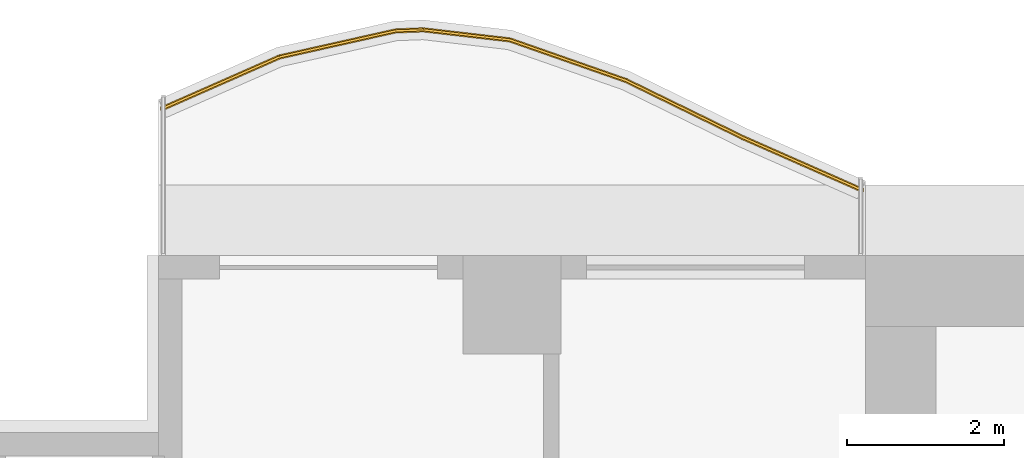
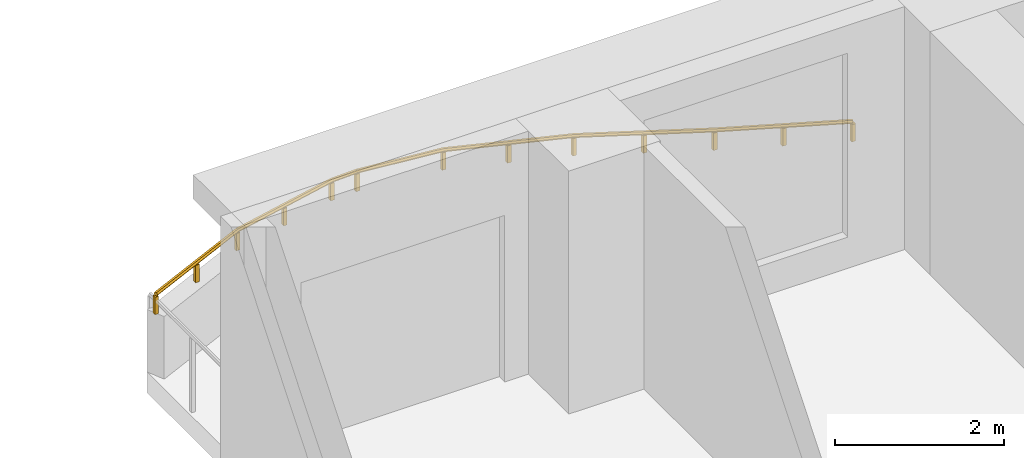
# One storey, part 13 of 14: 1 railing.
"""IFC4 building model written with IfcOpenShell, lengths in metres."""

from ifc_helpers import new_model, si_unit, direction, frame, origin, origin_2d, place, context, subcontext, project, spatial, polyline, rectangle, outline, extrude, material, type_object, element, save


model = new_model("IFC4")

# Units and contexts
model_context = context("Model", 3, precision=1e-05, world=origin(), true_north=direction((0.0, 1.0)))
body_context = subcontext(model_context, "Body", "Model", "MODEL_VIEW")
ifc_project = project(units=[si_unit("LENGTHUNIT", "METRE"), si_unit("AREAUNIT", "SQUARE_METRE"), si_unit("VOLUMEUNIT", "CUBIC_METRE"), si_unit("PLANEANGLEUNIT", "RADIAN"), si_unit("MASSUNIT", "GRAM", prefix="KILO")], contexts=[model_context])

# Site, building, storey
site_placement = place(None, origin())
site = spatial("IfcSite", under=ifc_project, at=site_placement, CompositionType="ELEMENT")
building_placement = place(site_placement, origin())
building = spatial("IfcBuilding", under=site, at=building_placement, Name="Orbiselva Terraces", CompositionType="ELEMENT")
storey_placement = place(building_placement, frame((0.0, 0.0, 103.6)))
storey = spatial("IfcBuildingStorey", under=building, at=storey_placement, Name="L26", CompositionType="ELEMENT", Elevation=103.6)

# Railing
ifc_material = material(Name="Bonded two-ply safety glass balustrade, stainless steel posts", Category="steel")
railing_type = type_object("IfcRailingType", Name="ENV-BALUSTRADE-1200", PredefinedType="BALUSTRADE", material=ifc_material)
railing_placement = place(storey_placement, frame((-13.550394, 23.33708, 0.9)))
element("IfcRailing", 1, at=railing_placement, inside=storey, type_object=railing_type, Name="Balcony balustrade L26 NW", PredefinedType="BALUSTRADE", context=body_context, shape_type="SweptSolid", body=[
    extrude(outline(polyline([(0.028868, 0.0), (0.014434, 0.025), (-0.014434, 0.025), (-0.028868, 0.0), (-0.014434, -0.025), (0.014434, -0.025), (0.028868, 0.0)])), frame((0.0, 0.0, 0.275), z_axis=(-0.915133394491, 0.403151175476, 0.0), x_axis=(-0.403151175476, -0.915133394491, 0.0)), (0.0, 0.0, 1.0), 1.641563),
    extrude(outline(polyline([(0.028868, 0.0), (0.014434, 0.025), (-0.014434, 0.025), (-0.028868, 0.0), (-0.014434, -0.025), (0.014434, -0.025), (0.028868, 0.0)])), frame((-1.502249, 0.661798, 0.275), z_axis=(-0.89857890432, 0.438811978768, 0.0), x_axis=(-0.438811978768, -0.89857890432, 0.0)), (0.0, 0.0, 1.0), 1.66438),
    extrude(outline(polyline([(0.028868, 0.0), (0.014434, 0.025), (-0.014434, 0.025), (-0.028868, 0.0), (-0.014434, -0.025), (0.014434, -0.025), (0.028868, 0.0)])), frame((-2.997826, 1.392148, 0.275), z_axis=(-0.943972277814, 0.330024754707, 0.0), x_axis=(-0.330024754707, -0.943972277814, 0.0)), (0.0, 0.0, 1.0), 1.567807),
    extrude(outline(polyline([(0.028868, 0.0), (0.014434, 0.025), (-0.014434, 0.025), (-0.028868, 0.0), (-0.014434, -0.025), (0.014434, -0.025), (0.028868, 0.0)])), frame((-4.477792, 1.909563, 0.275), z_axis=(-0.993309658409, 0.115481264762, 0.0), x_axis=(-0.115481264762, -0.993309658409, 0.0)), (0.0, 0.0, 1.0), 1.10902),
    extrude(outline(polyline([(0.028868, 0.0), (0.014434, 0.025), (-0.014434, 0.025), (-0.028868, 0.0), (-0.014434, -0.025), (0.014434, -0.025), (0.028868, 0.0)])), frame((-5.579392, 2.037634, 0.275), z_axis=(-0.999224931454, -0.039364150694, 0.0), x_axis=(0.039364150694, -0.999224931454, 0.0)), (0.0, 0.0, 1.0), 0.354206),
    extrude(outline(polyline([(0.028868, 0.0), (0.014434, 0.025), (-0.014434, 0.025), (-0.028868, 0.0), (-0.014434, -0.025), (0.014434, -0.025), (0.028868, 0.0)])), frame((-5.933323, 2.023691, 0.275), z_axis=(-0.975721325753, -0.219015740235, 0.0), x_axis=(0.219015740235, -0.975721325753, 0.0)), (0.0, 0.0, 1.0), 1.513782),
    extrude(outline(polyline([(0.028868, 0.0), (0.014434, 0.025), (-0.014434, 0.025), (-0.028868, 0.0), (-0.014434, -0.025), (0.014434, -0.025), (0.028868, 0.0)])), frame((-7.410352, 1.692149, 0.275), z_axis=(-0.915133311645, -0.403151363532, 0.0), x_axis=(0.403151363532, -0.915133311645, 0.0)), (0.0, 0.0, 1.0), 1.626932),
    extrude(rectangle(XDim=0.05, YDim=0.05, at=origin_2d()), origin(), (0.0, 0.0, 1.0), 0.25),
    extrude(rectangle(XDim=0.05, YDim=0.05, at=origin_2d()), frame((-0.751124, 0.330899, 0.0)), (0.0, 0.0, 1.0), 0.25),
    extrude(rectangle(XDim=0.05, YDim=0.05, at=origin_2d()), frame((-1.502249, 0.661798, 0.0)), (0.0, 0.0, 1.0), 0.25),
    extrude(rectangle(XDim=0.05, YDim=0.05, at=origin_2d()), frame((-2.250037, 1.026973, 0.0)), (0.0, 0.0, 1.0), 0.25),
    extrude(rectangle(XDim=0.05, YDim=0.05, at=origin_2d()), frame((-2.997826, 1.392148, 0.0)), (0.0, 0.0, 1.0), 0.25),
    extrude(rectangle(XDim=0.05, YDim=0.05, at=origin_2d()), frame((-3.737809, 1.650855, 0.0)), (0.0, 0.0, 1.0), 0.25),
    extrude(rectangle(XDim=0.05, YDim=0.05, at=origin_2d()), frame((-4.477792, 1.909563, 0.0)), (0.0, 0.0, 1.0), 0.25),
    extrude(rectangle(XDim=0.05, YDim=0.05, at=origin_2d()), frame((-5.579392, 2.037634, 0.0)), (0.0, 0.0, 1.0), 0.25),
    extrude(rectangle(XDim=0.05, YDim=0.05, at=origin_2d()), frame((-5.933323, 2.023691, 0.0)), (0.0, 0.0, 1.0), 0.25),
    extrude(rectangle(XDim=0.05, YDim=0.05, at=origin_2d()), frame((-6.671837, 1.85792, 0.0)), (0.0, 0.0, 1.0), 0.25),
    extrude(rectangle(XDim=0.05, YDim=0.05, at=origin_2d()), frame((-7.410352, 1.692149, 0.0)), (0.0, 0.0, 1.0), 0.25),
    extrude(rectangle(XDim=0.05, YDim=0.05, at=origin_2d()), frame((-8.154782, 1.364199, 0.0)), (0.0, 0.0, 1.0), 0.25),
    extrude(rectangle(XDim=0.05, YDim=0.05, at=origin_2d()), frame((-8.899212, 1.036249, 0.0)), (0.0, 0.0, 1.0), 0.25),
])

save(model, "model.ifc")
